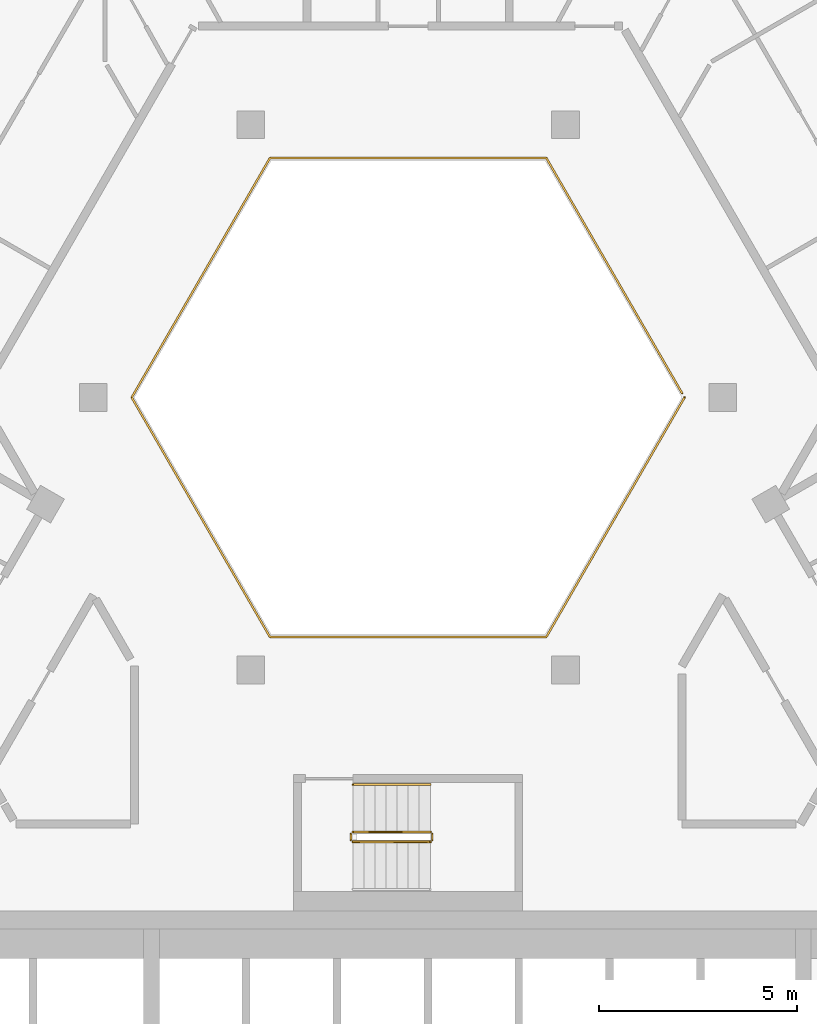
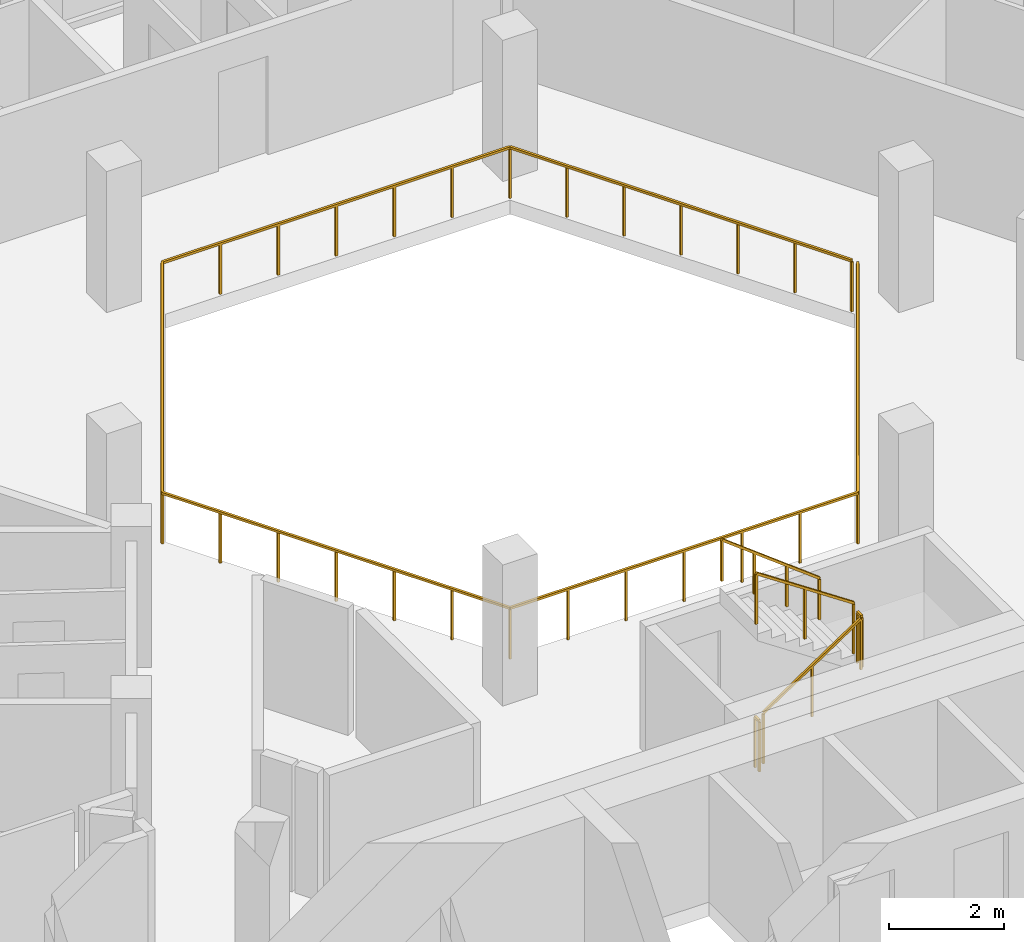
# One storey, part 13 of 15: 6 railings.
"""IFC4 building model written with IfcOpenShell, lengths in metres."""

from ifc_helpers import new_model, si_unit, direction, frame, origin, origin_2d, place, context, subcontext, project, spatial, rectangle, extrude, material, type_object, element, save


model = new_model("IFC4")

# Units and contexts
model_context = context("Model", 3, precision=1e-05, world=origin(), true_north=direction((0.0, 1.0)))
body_context = subcontext(model_context, "Body", "Model", "MODEL_VIEW")
ifc_project = project(units=[si_unit("LENGTHUNIT", "METRE"), si_unit("AREAUNIT", "SQUARE_METRE"), si_unit("VOLUMEUNIT", "CUBIC_METRE"), si_unit("PLANEANGLEUNIT", "RADIAN"), si_unit("MASSUNIT", "GRAM", prefix="KILO")], contexts=[model_context])

# Site, building, storey
site_placement = place(None, origin())
site = spatial("IfcSite", under=ifc_project, at=site_placement, CompositionType="ELEMENT")
building_placement = place(site_placement, origin())
building = spatial("IfcBuilding", under=site, at=building_placement, Name="Beryl Residences", CompositionType="ELEMENT")
storey_placement = place(building_placement, frame((0.0, 0.0, 217.800048828125)))
storey = spatial("IfcBuildingStorey", under=building, at=storey_placement, Name="L67", CompositionType="ELEMENT", Elevation=217.800048828125)

# Railings
ifc_material_1 = material(Name="Stainless steel balustrade with glass infill", Category="steel")
railing_type_1 = type_object("IfcRailingType", Name="EG1 edge guard 1100 mm", PredefinedType="GUARDRAIL", material=ifc_material_1)
railing_1_placement = place(storey_placement, frame((6.9970703125, 8.0, 0.0)))
element("IfcRailing", 1, at=railing_1_placement, inside=storey, type_object=railing_type_1, Name="L67 atrium guard", PredefinedType="GUARDRAIL", context=body_context, shape_type="SweptSolid", body=[
    extrude(rectangle(XDim=0.048095703125, YDim=0.048095703125, at=origin_2d()), frame((0.0, 0.0, 1.076171875), z_axis=(-0.499921796684, -0.866070549782, 0.0), x_axis=(0.866070549782, -0.499921796684, 0.0)), (0.0, 0.0, 1.0), 6.9970703125),
    extrude(rectangle(XDim=0.048095703125, YDim=0.048095703125, at=origin_2d()), frame((-3.498046875, -6.06005859375, 1.076171875), z_axis=(-1.0, 0.0, 0.0), x_axis=(0.0, -1.0, 0.0)), (0.0, 0.0, 1.0), 6.998046875),
    extrude(rectangle(XDim=0.048095703125, YDim=0.048095703125, at=origin_2d()), frame((-10.49609375, -6.06005859375, 1.076171875), z_axis=(-0.499921796684, 0.866070549782, 0.0), x_axis=(-0.866070549782, -0.499921796684, 0.0)), (0.0, 0.0, 1.0), 6.9970703125),
    extrude(rectangle(XDim=0.048095703125, YDim=0.048095703125, at=origin_2d()), frame((-13.994140625, 0.0, 1.076171875), z_axis=(0.499921796684, 0.866070549782, 0.0), x_axis=(-0.866070549782, 0.499921796684, 0.0)), (0.0, 0.0, 1.0), 6.9970703125),
    extrude(rectangle(XDim=0.048095703125, YDim=0.048095703125, at=origin_2d()), frame((-10.49609375, 6.06005859375, 1.076171875), z_axis=(1.0, 0.0, 0.0), x_axis=(0.0, 1.0, 0.0)), (0.0, 0.0, 1.0), 6.998046875),
    extrude(rectangle(XDim=0.048095703125, YDim=0.048095703125, at=origin_2d()), frame((-3.498046875, 6.06005859375, 1.076171875), z_axis=(0.499919131929, -0.866072087953, 0.0), x_axis=(0.866072087953, 0.499919131929, 0.0)), (0.0, 0.0, 1.0), 6.877197265625),
    extrude(rectangle(XDim=0.0419921875, YDim=0.0419921875, at=origin_2d()), origin(), (0.0, 0.0, 1.0), 1.052001953125),
    extrude(rectangle(XDim=0.0419921875, YDim=0.0419921875, at=origin_2d()), frame((-0.5830078125, -1.010009765625, 0.0)), (0.0, 0.0, 1.0), 1.052001953125),
    extrude(rectangle(XDim=0.0419921875, YDim=0.0419921875, at=origin_2d()), frame((-1.166015625, -2.02001953125, 0.0)), (0.0, 0.0, 1.0), 1.052001953125),
    extrude(rectangle(XDim=0.0419921875, YDim=0.0419921875, at=origin_2d()), frame((-1.7490234375, -3.030029296875, 0.0)), (0.0, 0.0, 1.0), 1.052001953125),
    extrude(rectangle(XDim=0.0419921875, YDim=0.0419921875, at=origin_2d()), frame((-2.33203125, -4.0400390625, 0.0)), (0.0, 0.0, 1.0), 1.052001953125),
    extrude(rectangle(XDim=0.0419921875, YDim=0.0419921875, at=origin_2d()), frame((-2.9150390625, -5.050048828125, 0.0)), (0.0, 0.0, 1.0), 1.052001953125),
    extrude(rectangle(XDim=0.0419921875, YDim=0.0419921875, at=origin_2d()), frame((-3.498046875, -6.06005859375, 0.0)), (0.0, 0.0, 1.0), 1.052001953125),
    extrude(rectangle(XDim=0.0419921875, YDim=0.0419921875, at=origin_2d()), frame((-4.664306640625, -6.06005859375, 0.0)), (0.0, 0.0, 1.0), 1.052001953125),
    extrude(rectangle(XDim=0.0419921875, YDim=0.0419921875, at=origin_2d()), frame((-5.830810546875, -6.06005859375, 0.0)), (0.0, 0.0, 1.0), 1.052001953125),
    extrude(rectangle(XDim=0.0419921875, YDim=0.0419921875, at=origin_2d()), frame((-6.9970703125, -6.06005859375, 0.0)), (0.0, 0.0, 1.0), 1.052001953125),
    extrude(rectangle(XDim=0.0419921875, YDim=0.0419921875, at=origin_2d()), frame((-8.163330078125, -6.06005859375, 0.0)), (0.0, 0.0, 1.0), 1.052001953125),
    extrude(rectangle(XDim=0.0419921875, YDim=0.0419921875, at=origin_2d()), frame((-9.329833984375, -6.06005859375, 0.0)), (0.0, 0.0, 1.0), 1.052001953125),
    extrude(rectangle(XDim=0.0419921875, YDim=0.0419921875, at=origin_2d()), frame((-10.49609375, -6.06005859375, 0.0)), (0.0, 0.0, 1.0), 1.052001953125),
    extrude(rectangle(XDim=0.0419921875, YDim=0.0419921875, at=origin_2d()), frame((-11.0791015625, -5.050048828125, 0.0)), (0.0, 0.0, 1.0), 1.052001953125),
    extrude(rectangle(XDim=0.0419921875, YDim=0.0419921875, at=origin_2d()), frame((-11.662109375, -4.0400390625, 0.0)), (0.0, 0.0, 1.0), 1.052001953125),
    extrude(rectangle(XDim=0.0419921875, YDim=0.0419921875, at=origin_2d()), frame((-12.2451171875, -3.030029296875, 0.0)), (0.0, 0.0, 1.0), 1.052001953125),
    extrude(rectangle(XDim=0.0419921875, YDim=0.0419921875, at=origin_2d()), frame((-12.828125, -2.02001953125, 0.0)), (0.0, 0.0, 1.0), 1.052001953125),
    extrude(rectangle(XDim=0.0419921875, YDim=0.0419921875, at=origin_2d()), frame((-13.4111328125, -1.010009765625, 0.0)), (0.0, 0.0, 1.0), 1.052001953125),
    extrude(rectangle(XDim=0.0419921875, YDim=0.0419921875, at=origin_2d()), frame((-13.994140625, 0.0, 0.0)), (0.0, 0.0, 1.0), 1.052001953125),
    extrude(rectangle(XDim=0.0419921875, YDim=0.0419921875, at=origin_2d()), frame((-13.4111328125, 1.010009765625, 0.0)), (0.0, 0.0, 1.0), 1.052001953125),
    extrude(rectangle(XDim=0.0419921875, YDim=0.0419921875, at=origin_2d()), frame((-12.828125, 2.02001953125, 0.0)), (0.0, 0.0, 1.0), 1.052001953125),
    extrude(rectangle(XDim=0.0419921875, YDim=0.0419921875, at=origin_2d()), frame((-12.2451171875, 3.030029296875, 0.0)), (0.0, 0.0, 1.0), 1.052001953125),
    extrude(rectangle(XDim=0.0419921875, YDim=0.0419921875, at=origin_2d()), frame((-11.662109375, 4.0400390625, 0.0)), (0.0, 0.0, 1.0), 1.052001953125),
    extrude(rectangle(XDim=0.0419921875, YDim=0.0419921875, at=origin_2d()), frame((-11.0791015625, 5.050048828125, 0.0)), (0.0, 0.0, 1.0), 1.052001953125),
    extrude(rectangle(XDim=0.0419921875, YDim=0.0419921875, at=origin_2d()), frame((-10.49609375, 6.06005859375, 0.0)), (0.0, 0.0, 1.0), 1.052001953125),
    extrude(rectangle(XDim=0.0419921875, YDim=0.0419921875, at=origin_2d()), frame((-9.329833984375, 6.06005859375, 0.0)), (0.0, 0.0, 1.0), 1.052001953125),
    extrude(rectangle(XDim=0.0419921875, YDim=0.0419921875, at=origin_2d()), frame((-8.163330078125, 6.06005859375, 0.0)), (0.0, 0.0, 1.0), 1.052001953125),
    extrude(rectangle(XDim=0.0419921875, YDim=0.0419921875, at=origin_2d()), frame((-6.9970703125, 6.06005859375, 0.0)), (0.0, 0.0, 1.0), 1.052001953125),
    extrude(rectangle(XDim=0.0419921875, YDim=0.0419921875, at=origin_2d()), frame((-5.830810546875, 6.06005859375, 0.0)), (0.0, 0.0, 1.0), 1.052001953125),
    extrude(rectangle(XDim=0.0419921875, YDim=0.0419921875, at=origin_2d()), frame((-4.664306640625, 6.06005859375, 0.0)), (0.0, 0.0, 1.0), 1.052001953125),
    extrude(rectangle(XDim=0.0419921875, YDim=0.0419921875, at=origin_2d()), frame((-3.498046875, 6.06005859375, 0.0)), (0.0, 0.0, 1.0), 1.052001953125),
    extrude(rectangle(XDim=0.0419921875, YDim=0.0419921875, at=origin_2d()), frame((-2.925048828125, 5.0673828125, 0.0)), (0.0, 0.0, 1.0), 1.052001953125),
    extrude(rectangle(XDim=0.0419921875, YDim=0.0419921875, at=origin_2d()), frame((-2.35205078125, 4.07470703125, 0.0)), (0.0, 0.0, 1.0), 1.052001953125),
    extrude(rectangle(XDim=0.0419921875, YDim=0.0419921875, at=origin_2d()), frame((-1.779052734375, 3.08203125, 0.0)), (0.0, 0.0, 1.0), 1.052001953125),
    extrude(rectangle(XDim=0.0419921875, YDim=0.0419921875, at=origin_2d()), frame((-1.2060546875, 2.08935546875, 0.0)), (0.0, 0.0, 1.0), 1.052001953125),
    extrude(rectangle(XDim=0.0419921875, YDim=0.0419921875, at=origin_2d()), frame((-0.633056640625, 1.0966796875, 0.0)), (0.0, 0.0, 1.0), 1.052001953125),
    extrude(rectangle(XDim=0.0419921875, YDim=0.0419921875, at=origin_2d()), frame((-0.06005859375, 0.10400390625, 0.0)), (0.0, 0.0, 1.0), 1.052001953125),
])
ifc_material_2 = material(Name="Stainless steel balustrade with glass infill", Category="steel")
railing_type_2 = type_object("IfcRailingType", Name="SG1 stair guard 1100 mm", PredefinedType="GUARDRAIL", material=ifc_material_2)
railing_2_placement = place(storey_placement, frame((-1.39990234375, -3.25, 0.1875)))
element("IfcRailing", 2, at=railing_2_placement, inside=storey, type_object=railing_type_2, Name="L67 ST-4 stair guard 1", PredefinedType="GUARDRAIL", context=body_context, shape_type="SweptSolid", body=[
    extrude(rectangle(XDim=0.048095703125, YDim=0.048095703125, at=origin_2d()), frame((0.0, 0.0, 1.076171875), z_axis=(0.830902050051, 0.0, 0.556418712142), x_axis=(0.0, 1.0, 0.0)), (0.0, 0.0, 1.0), 2.35888671875),
    extrude(rectangle(XDim=0.0419921875, YDim=0.0419921875, at=origin_2d()), origin(), (0.0, 0.0, 1.0), 1.052001953125),
    extrude(rectangle(XDim=0.0419921875, YDim=0.0419921875, at=origin_2d()), frame((0.97998046875, 0.0, 0.65625)), (0.0, 0.0, 1.0), 1.052001953125),
    extrude(rectangle(XDim=0.0419921875, YDim=0.0419921875, at=origin_2d()), frame((1.9599609375, 0.0, 1.3125)), (0.0, 0.0, 1.0), 1.052001953125),
])
railing_3_placement = place(storey_placement, frame((0.610107421875, -3.199951171875, 1.5)))
element("IfcRailing", 3, at=railing_3_placement, inside=storey, type_object=railing_type_2, Name="L67 ST-4 stair guard 2", PredefinedType="GUARDRAIL", context=body_context, shape_type="SweptSolid", body=[
    extrude(rectangle(XDim=0.048095703125, YDim=0.048095703125, at=origin_2d()), frame((0.0, 0.0, 1.076171875), z_axis=(0.0, 1.0, 0.0), x_axis=(-1.0, 0.0, 0.0)), (0.0, 0.0, 1.0), 0.14990234375),
    extrude(rectangle(XDim=0.0419921875, YDim=0.0419921875, at=origin_2d()), origin(), (0.0, 0.0, 1.0), 1.052001953125),
    extrude(rectangle(XDim=0.0419921875, YDim=0.0419921875, at=origin_2d()), frame((0.0, 0.14990234375, 0.0)), (0.0, 0.0, 1.0), 1.052001953125),
])
railing_4_placement = place(storey_placement, frame((0.56005859375, -3.0, 1.6875)))
element("IfcRailing", 4, at=railing_4_placement, inside=storey, type_object=railing_type_2, Name="L67 ST-4 stair guard 3", PredefinedType="GUARDRAIL", context=body_context, shape_type="SweptSolid", body=[
    extrude(rectangle(XDim=0.048095703125, YDim=0.048095703125, at=origin_2d()), frame((0.0, 0.0, 1.076171875), z_axis=(-0.830902050051, 0.0, 0.556418712142), x_axis=(0.0, -1.0, 0.0)), (0.0, 0.0, 1.0), 2.35888671875),
    extrude(rectangle(XDim=0.0419921875, YDim=0.0419921875, at=origin_2d()), origin(), (0.0, 0.0, 1.0), 1.052001953125),
    extrude(rectangle(XDim=0.0419921875, YDim=0.0419921875, at=origin_2d()), frame((-0.97998046875, 0.0, 0.65625)), (0.0, 0.0, 1.0), 1.052001953125),
    extrude(rectangle(XDim=0.0419921875, YDim=0.0419921875, at=origin_2d()), frame((-1.9599609375, 0.0, 1.3125)), (0.0, 0.0, 1.0), 1.052001953125),
])
railing_5_placement = place(storey_placement, frame((-1.449951171875, -3.199951171875, 0.0)))
element("IfcRailing", 5, at=railing_5_placement, inside=storey, type_object=railing_type_2, Name="L67 ST-4 stair guard 4", PredefinedType="GUARDRAIL", context=body_context, shape_type="SweptSolid", body=[
    extrude(rectangle(XDim=0.048095703125, YDim=0.048095703125, at=origin_2d()), frame((0.0, 0.0, 1.076171875), z_axis=(0.0, 1.0, 0.0), x_axis=(-1.0, 0.0, 0.0)), (0.0, 0.0, 1.0), 0.14990234375),
    extrude(rectangle(XDim=0.0419921875, YDim=0.0419921875, at=origin_2d()), origin(), (0.0, 0.0, 1.0), 1.052001953125),
    extrude(rectangle(XDim=0.0419921875, YDim=0.0419921875, at=origin_2d()), frame((0.0, 0.14990234375, 0.0)), (0.0, 0.0, 1.0), 1.052001953125),
])
ifc_material_3 = material(Name="Stainless steel handrail", Category="steel")
railing_type_3 = type_object("IfcRailingType", Name="SRL1 stair handrail 900 mm", PredefinedType="HANDRAIL", material=ifc_material_3)
railing_6_placement = place(storey_placement, frame((0.56005859375, -1.800048828125, 1.6875)))
element("IfcRailing", 6, at=railing_6_placement, inside=storey, type_object=railing_type_3, Name="L67 ST-4 stair handrail 2", PredefinedType="HANDRAIL", context=body_context, shape_type="SweptSolid", body=[
    extrude(rectangle(XDim=0.048095703125, YDim=0.048095703125, at=origin_2d()), frame((0.0, 0.0, 0.8759765625), z_axis=(-0.794121922505, 0.0, 0.607758481798), x_axis=(0.0, -1.0, 0.0)), (0.0, 0.0, 1.0), 2.468017578125),
    extrude(rectangle(XDim=0.0419921875, YDim=0.0419921875, at=origin_2d()), origin(), (0.0, 0.0, 1.0), 0.851806640625),
    extrude(rectangle(XDim=0.0419921875, YDim=0.0419921875, at=origin_2d()), frame((-0.6533203125, 0.0, 0.5)), (0.0, 0.0, 1.0), 0.851806640625),
    extrude(rectangle(XDim=0.0419921875, YDim=0.0419921875, at=origin_2d()), frame((-1.306640625, 0.0, 1.0)), (0.0, 0.0, 1.0), 0.851806640625),
    extrude(rectangle(XDim=0.0419921875, YDim=0.0419921875, at=origin_2d()), frame((-1.9599609375, 0.0, 1.5)), (0.0, 0.0, 1.0), 0.851806640625),
])

save(model, "model.ifc")
